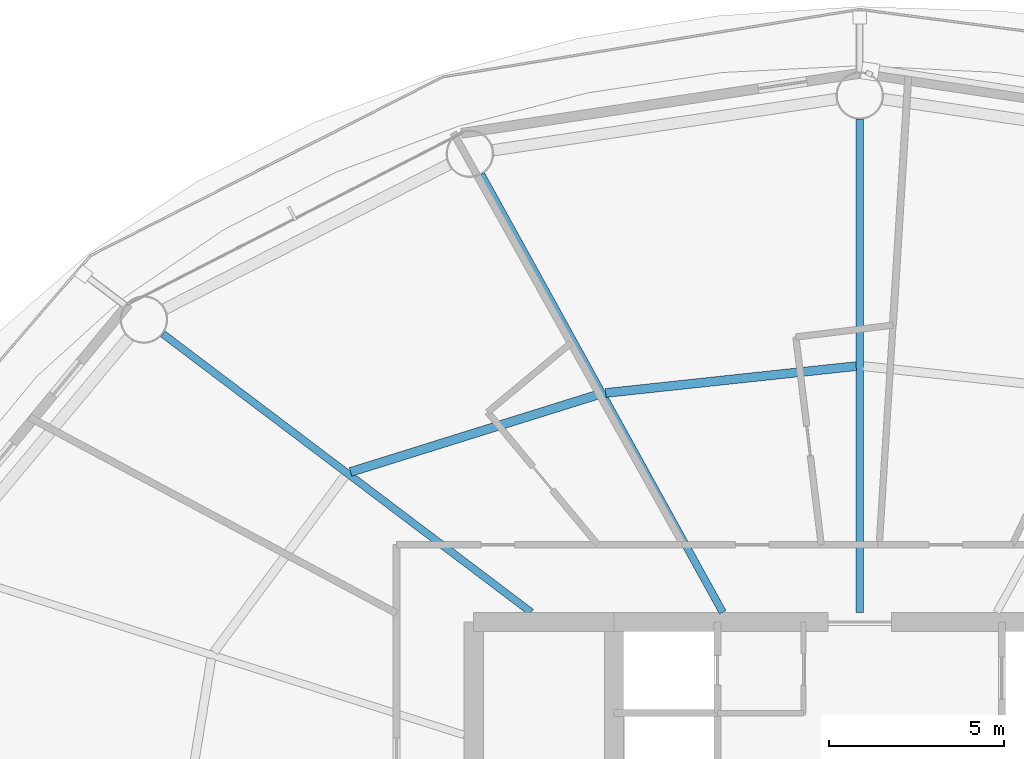
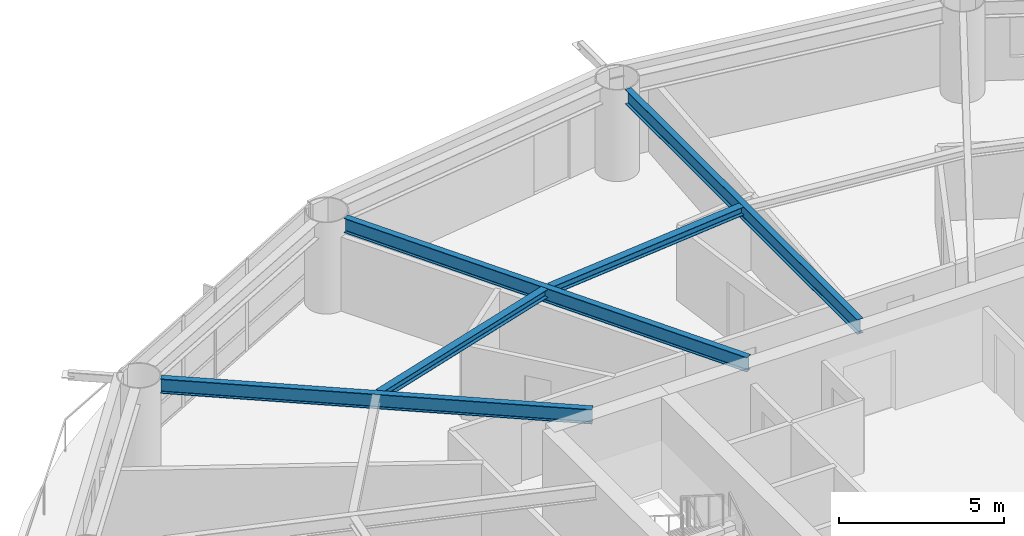
# One storey, part 9 of 24: 5 beams.
"""IFC4 building model written with IfcOpenShell, lengths in metres."""

from ifc_helpers import new_model, si_unit, direction, frame, origin, origin_2d, place, context, subcontext, project, spatial, i_section, extrude, material, material_profile, profile_set, type_object, element, save


model = new_model("IFC4")

# Units and contexts
model_context = context("Model", 3, precision=1e-05, world=origin(), true_north=direction((0.0, 1.0)))
body_context = subcontext(model_context, "Body", "Model", "MODEL_VIEW")
ifc_project = project(units=[si_unit("LENGTHUNIT", "METRE"), si_unit("AREAUNIT", "SQUARE_METRE"), si_unit("VOLUMEUNIT", "CUBIC_METRE"), si_unit("PLANEANGLEUNIT", "RADIAN"), si_unit("MASSUNIT", "GRAM", prefix="KILO")], contexts=[model_context])

# Site, building, storey
site_placement = place(None, origin())
site = spatial("IfcSite", under=ifc_project, at=site_placement, CompositionType="ELEMENT")
building_placement = place(site_placement, origin())
building = spatial("IfcBuilding", under=site, at=building_placement, Name="Sarneth Arch Tower", CompositionType="ELEMENT")
storey_placement = place(building_placement, frame((0.0, 0.0, 127.199951171875)))
storey = spatial("IfcBuildingStorey", under=building, at=storey_placement, Name="L32", CompositionType="ELEMENT", Elevation=127.199951171875)

# Beams
ifc_material_1 = material(Name="Steel S355", Category="steel")
ifc_material_profile_1 = material_profile(ifc_material_1, i_section(OverallWidth=0.25390625, OverallDepth=0.305908203125, WebThickness=0.0087890625, FlangeThickness=0.0146484375, FilletRadius=0.014892578125, at=origin_2d()), Name="W310x79")
ifc_profile_set_1 = profile_set([ifc_material_profile_1], Name="Steel S355")
beam_type_1 = type_object("IfcBeamType", Name="BM-JOIST-310A", PredefinedType="JOIST", material=ifc_profile_set_1)
beam_1_placement = place(storey_placement, frame((47.89501953125, 56.0888671875, 3.22705078125), z_axis=(-0.99429330851, -0.106680910441, 0.0), x_axis=(0.106680910441, -0.99429330851, 0.0)))
element("IfcBeam", 1, at=beam_1_placement, inside=storey, type_object=beam_type_1, Name="L32 Secondary floor joist 05", PredefinedType="JOIST", context=body_context, shape_type="SweptSolid", body=[
    extrude(i_section(OverallWidth=0.25390625, OverallDepth=0.305908203125, WebThickness=0.0087890625, FlangeThickness=0.0146484375, FilletRadius=0.014892578125, at=origin_2d()), origin(), (0.0, 0.0, 1.0), 7.174560546875),
])
beam_2_placement = place(storey_placement, frame((40.5556640625, 55.28076171875, 3.22705078125), z_axis=(-0.9544870201, -0.298252457594, 0.0), x_axis=(0.298252457594, -0.9544870201, 0.0)))
element("IfcBeam", 2, at=beam_2_placement, inside=storey, type_object=beam_type_1, Name="L32 Secondary floor joist 06", PredefinedType="JOIST", context=body_context, shape_type="SweptSolid", body=[
    extrude(i_section(OverallWidth=0.25390625, OverallDepth=0.305908203125, WebThickness=0.0087890625, FlangeThickness=0.0146484375, FilletRadius=0.014892578125, at=origin_2d()), origin(), (0.0, 0.0, 1.0), 7.40234375),
])
ifc_material_2 = material(Name="Steel S355", Category="steel")
ifc_material_profile_2 = material_profile(ifc_material_2, i_section(OverallWidth=0.2109375, OverallDepth=0.5390625, WebThickness=0.01171875, FlangeThickness=0.018798828125, FilletRadius=0.01806640625, at=origin_2d()), Name="W530x109")
ifc_profile_set_2 = profile_set([ifc_material_profile_2], Name="Steel S355")
beam_type_2 = type_object("IfcBeamType", Name="BM-RAD-530B", PredefinedType="BEAM", material=ifc_profile_set_2)
beam_3_placement = place(storey_placement, frame((48.0, 49.074951171875, 3.110595703125), z_axis=(0.0, 1.0, 0.0), x_axis=(-1.0, 0.0, 0.0)))
element("IfcBeam", 3, at=beam_3_placement, inside=storey, type_object=beam_type_2, Name="L32 Radial floor girder 05", PredefinedType="BEAM", context=body_context, shape_type="SweptSolid", body=[
    extrude(i_section(OverallWidth=0.2109375, OverallDepth=0.5390625, WebThickness=0.01171875, FlangeThickness=0.018798828125, FilletRadius=0.01806640625, at=origin_2d()), origin(), (0.0, 0.0, 1.0), 14.050048828125),
])
beam_4_placement = place(storey_placement, frame((44.09716796875, 49.074951171875, 3.110595703125), z_axis=(-0.48301301286, 0.875613173387, 0.0), x_axis=(-0.875613173387, -0.48301301286, 0.0)))
element("IfcBeam", 4, at=beam_4_placement, inside=storey, type_object=beam_type_2, Name="L32 Radial floor girder 06", PredefinedType="BEAM", context=body_context, shape_type="SweptSolid", body=[
    extrude(i_section(OverallWidth=0.2109375, OverallDepth=0.5390625, WebThickness=0.01171875, FlangeThickness=0.018798828125, FilletRadius=0.01806640625, at=origin_2d()), origin(), (0.0, 0.0, 1.0), 14.246826171875),
])
beam_5_placement = place(storey_placement, frame((38.63818359375, 49.074951171875, 3.110595703125), z_axis=(-0.797801476102, 0.602920230818, 0.0), x_axis=(-0.602920230818, -0.797801476102, 0.0)))
element("IfcBeam", 5, at=beam_5_placement, inside=storey, type_object=beam_type_2, Name="L32 Radial floor girder 07", PredefinedType="BEAM", context=body_context, shape_type="SweptSolid", body=[
    extrude(i_section(OverallWidth=0.2109375, OverallDepth=0.5390625, WebThickness=0.01171875, FlangeThickness=0.018798828125, FilletRadius=0.01806640625, at=origin_2d()), origin(), (0.0, 0.0, 1.0), 13.15771484375),
])

save(model, "model.ifc")
